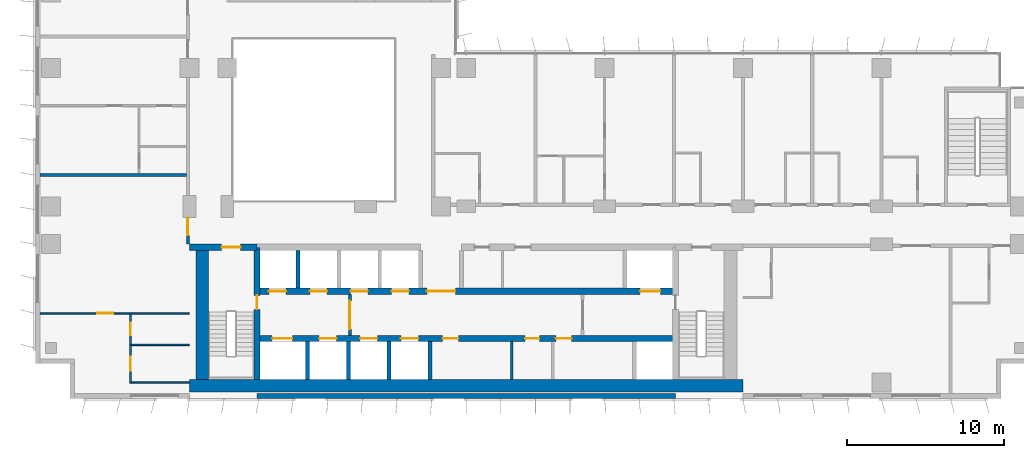
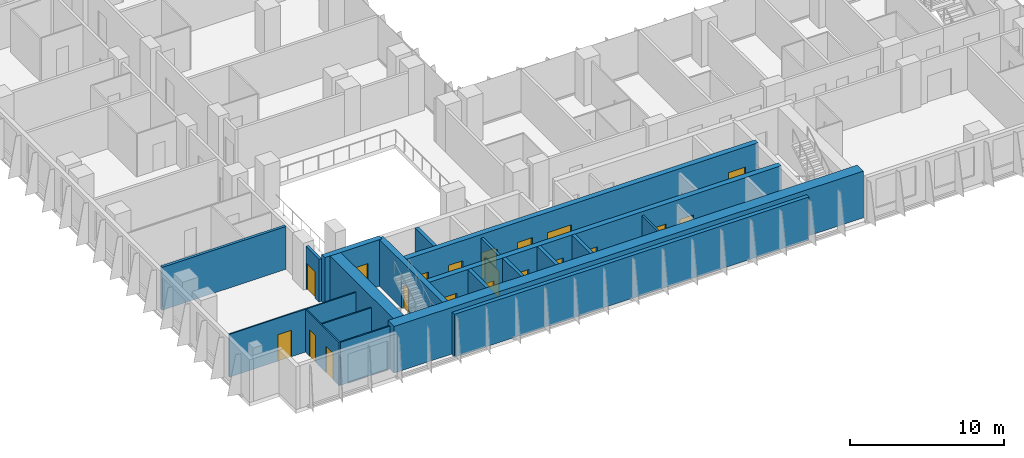
# One storey, part 12 of 22: 20 doors, 20 walls, 20 openings.
"""IFC4 building model written with IfcOpenShell, lengths in metres."""

from ifc_helpers import new_model, si_unit, direction, frame, frame_2d, origin, place, context, subcontext, project, spatial, rectangle, extrude, material, layer, layer_set, type_object, element, fill, save


model = new_model("IFC4")

# Units and contexts
model_context = context("Model", 3, precision=1e-05, world=origin(), true_north=direction((0.0, 1.0)))
body_context = subcontext(model_context, "Body", "Model", "MODEL_VIEW")
ifc_project = project(units=[si_unit("LENGTHUNIT", "METRE"), si_unit("AREAUNIT", "SQUARE_METRE"), si_unit("VOLUMEUNIT", "CUBIC_METRE"), si_unit("PLANEANGLEUNIT", "RADIAN"), si_unit("MASSUNIT", "GRAM", prefix="KILO")], contexts=[model_context])

# Site, building, storey
site_placement = place(None, origin())
site = spatial("IfcSite", under=ifc_project, at=site_placement, CompositionType="ELEMENT")
building_placement = place(site_placement, origin())
building = spatial("IfcBuilding", under=site, at=building_placement, Name="Kemantara Hotel Tower", CompositionType="ELEMENT")
storey_placement = place(building_placement, frame((0.0, 0.0, 145.699951171875)))
storey = spatial("IfcBuildingStorey", under=building, at=storey_placement, Name="L35", CompositionType="ELEMENT", Elevation=145.699951171875)

# Walls
ifc_material_1 = material(Name="Bronze anodised aluminium cladding on insulated steel stud wall", Category="steel")
ifc_layer_1 = layer(ifc_material_1, 0.300048828125)
ifc_layer_set_1 = layer_set([ifc_layer_1], Name="Bronze anodised aluminium cladding on insulated steel stud wall")
wall_type_1 = type_object("IfcWallType", Name="BRONZE METAL-CLAD EXTERNAL WALL 300", PredefinedType="STANDARD", material=ifc_layer_set_1)
wall_1_placement = place(storey_placement, frame((14.10009765625, 0.14990234375, 0.0), z_axis=(0.0, 0.0, 1.0), x_axis=(1.0, 0.0, 0.0)))
element("IfcWall", 1, at=wall_1_placement, inside=storey, type_object=wall_type_1, Name="EXTERNAL WALL L35 T2-R07-2", PredefinedType="STANDARD", context=body_context, shape_type="SweptSolid", body=[
    extrude(rectangle(XDim=26.599853515625, YDim=0.300048828125, at=frame_2d((13.2998046875, 0.0))), origin(), (0.0, 0.0, 1.0), 3.400146484375),
])
ifc_material_2 = material(Name="Concrete fc 60 MPa", Category="concrete")
ifc_layer_2 = layer(ifc_material_2, 0.25)
ifc_layer_set_2 = layer_set([ifc_layer_2], Name="Concrete fc 60 MPa")
wall_type_2 = type_object("IfcWallType", Name="CORE WALL 250 FC60", PredefinedType="SHEAR", material=ifc_layer_set_2)
for number, where, z_axis, x_axis, name in (
    (2, (17.300048828125, 1.199951171875, 0.0), (0.0, 0.0, 1.0), (0.0, 1.0, 0.0), "CORE WALL CW-DS17.3"),
    (3, (19.89990234375, 1.199951171875, 0.0), (0.0, 0.0, 1.0), (0.0, 1.0, 0.0), "CORE WALL CW-DS19.9"),
    (4, (22.5, 1.199951171875, 0.0), (0.0, 0.0, 1.0), (0.0, 1.0, 0.0), "CORE WALL CW-DS22.5"),
    (5, (25.10009765625, 1.199951171875, 0.0), (0.0, 0.0, 1.0), (0.0, 1.0, 0.0), "CORE WALL CW-DS25.1"),
):
    element("IfcWall", number, at=place(storey_placement, frame(where, z_axis=z_axis, x_axis=x_axis)), inside=storey, type_object=wall_type_2, Name=name, PredefinedType="SHEAR", context=body_context, shape_type="SweptSolid", body=[
        extrude(rectangle(XDim=2.400146484375, YDim=0.25, at=frame_2d((1.2001953125, 0.0))), origin(), (0.0, 0.0, 1.0), 3.699951171875),
    ])
wall_2_placement = place(storey_placement, frame((16.699951171875, 7.0, 0.0), z_axis=(0.0, 0.0, 1.0), x_axis=(0.0, 1.0, 0.0)))
element("IfcWall", 6, at=wall_2_placement, inside=storey, type_object=wall_type_2, Name="CORE WALL CW-DN16.7", PredefinedType="SHEAR", context=body_context, shape_type="SweptSolid", body=[
    extrude(rectangle(XDim=2.39990234375, YDim=0.25, at=frame_2d((1.199951171875, 0.0))), origin(), (0.0, 0.0, 1.0), 3.699951171875),
])

# Wall, opening, door
ifc_layer_3 = layer(ifc_material_2, 0.39990234375)
ifc_layer_set_3 = layer_set([ifc_layer_3], Name="Concrete fc 60 MPa")
wall_type_3 = type_object("IfcWallType", Name="CORE WALL 400 FC60", PredefinedType="SHEAR", material=ifc_layer_set_3)
wall_3_placement = place(storey_placement, frame((9.800048828125, 9.60009765625, 0.0), z_axis=(0.0, 0.0, 1.0), x_axis=(1.0, 0.0, 0.0)))
wall_3 = element("IfcWall", 7, at=wall_3_placement, inside=storey, type_object=wall_type_3, Name="CORE WALL CW-N1", PredefinedType="SHEAR", context=body_context, shape_type="SweptSolid", body=[
    extrude(rectangle(XDim=4.300048828125, YDim=0.39990234375, at=frame_2d((2.14990234375, 0.0))), origin(), (0.0, 0.0, 1.0), 3.699951171875),
])
opening_1_placement = place(wall_3_placement, frame((2.050048828125, 0.0, 0.0)))
opening_1 = element("IfcOpeningElement", 8, at=opening_1_placement, cuts=wall_3, Name="Opening C22-ST1-C", PredefinedType="OPENING", context=body_context, shape_type="SweptSolid", body=[
    extrude(rectangle(XDim=1.199951171875, YDim=2.10009765625, at=frame_2d((0.60009765625, 1.050048828125))), frame((0.0, 0.2099609375, 0.0), z_axis=(0.0, -1.0, 0.0), x_axis=(1.0, 0.0, 0.0)), (0.0, 0.0, 1.0), 0.419921875),
])
ifc_material_3 = material(Name="Steel fire door", Category="steel")
door_type_1 = type_object("IfcDoorType", Name="Fire door FD90 1200 x 2100", OperationType="NOTDEFINED", PredefinedType="DOOR", material=ifc_material_3)
door_1_placement = place(opening_1_placement, frame((1.199951171875, 0.0, 0.0), z_axis=(0.0, 0.0, 1.0), x_axis=(-1.0, 0.0, 0.0)))
door_1 = element("IfcDoor", 9, at=door_1_placement, inside=storey, type_object=door_type_1, Name="Stair ST1 door to corridor", OperationType="SINGLE_SWING_LEFT", OverallHeight=2.10009765625, OverallWidth=1.199951171875, PredefinedType="DOOR", context=body_context, shape_type="SweptSolid", body=[
    extrude(rectangle(XDim=1.199951171875, YDim=2.10009765625, at=frame_2d((0.60009765625, 1.050048828125))), frame((0.0, 0.02490234375, 0.0), z_axis=(0.0, -1.0, 0.0), x_axis=(1.0, 0.0, 0.0)), (0.0, 0.0, 1.0), 0.050048828125),
])
fill(opening_1, door_1)

# Wall, openings, doors
wall_4_placement = place(storey_placement, frame((14.10009765625, 3.800048828125, 0.0), z_axis=(0.0, 0.0, 1.0), x_axis=(1.0, 0.0, 0.0)))
wall_4 = element("IfcWall", 10, at=wall_4_placement, inside=storey, type_object=wall_type_3, Name="CORE WALL CW-L1", PredefinedType="SHEAR", context=body_context, shape_type="SweptSolid", body=[
    extrude(rectangle(XDim=26.599853515625, YDim=0.39990234375, at=frame_2d((13.2998046875, 0.0))), origin(), (0.0, 0.0, 1.0), 3.699951171875),
])
opening_2_placement = place(wall_4_placement, frame((0.949951171875, 0.0, 0.0)))
opening_2 = element("IfcOpeningElement", 11, at=opening_2_placement, cuts=wall_4, Name="Opening C22-LD-FF1", PredefinedType="OPENING", context=body_context, shape_type="SweptSolid", body=[
    extrude(rectangle(XDim=1.300048828125, YDim=2.10009765625, at=frame_2d((0.64990234375, 1.050048828125))), frame((0.0, 0.2099609375, 0.0), z_axis=(0.0, -1.0, 0.0), x_axis=(1.0, 0.0, 0.0)), (0.0, 0.0, 1.0), 0.419921875),
])
opening_3_placement = place(wall_4_placement, frame((3.949951171875, 0.0, 0.0)))
opening_3 = element("IfcOpeningElement", 12, at=opening_3_placement, cuts=wall_4, Name="Opening C22-LD-SV1", PredefinedType="OPENING", context=body_context, shape_type="SweptSolid", body=[
    extrude(rectangle(XDim=1.10009765625, YDim=2.10009765625, at=frame_2d((0.550048828125, 1.050048828125))), frame((0.0, 0.2099609375, 0.0), z_axis=(0.0, -1.0, 0.0), x_axis=(1.0, 0.0, 0.0)), (0.0, 0.0, 1.0), 0.419921875),
])
opening_4_placement = place(wall_4_placement, frame((6.550048828125, 0.0, 0.0)))
opening_4 = element("IfcOpeningElement", 13, at=opening_4_placement, cuts=wall_4, Name="Opening C22-LD-SV2", PredefinedType="OPENING", context=body_context, shape_type="SweptSolid", body=[
    extrude(rectangle(XDim=1.10009765625, YDim=2.10009765625, at=frame_2d((0.550048828125, 1.050048828125))), frame((0.0, 0.2099609375, 0.0), z_axis=(0.0, -1.0, 0.0), x_axis=(1.0, 0.0, 0.0)), (0.0, 0.0, 1.0), 0.419921875),
])
opening_5_placement = place(wall_4_placement, frame((9.14990234375, 0.0, 0.0)))
opening_5 = element("IfcOpeningElement", 14, at=opening_5_placement, cuts=wall_4, Name="Opening C22-LD-SV3", PredefinedType="OPENING", context=body_context, shape_type="SweptSolid", body=[
    extrude(rectangle(XDim=1.10009765625, YDim=2.10009765625, at=frame_2d((0.550048828125, 1.050048828125))), frame((0.0, 0.2099609375, 0.0), z_axis=(0.0, -1.0, 0.0), x_axis=(1.0, 0.0, 0.0)), (0.0, 0.0, 1.0), 0.419921875),
])
opening_6_placement = place(wall_4_placement, frame((11.800048828125, 0.0, 0.0)))
opening_6 = element("IfcOpeningElement", 15, at=opening_6_placement, cuts=wall_4, Name="Opening C22-R-SM1", PredefinedType="OPENING", context=body_context, shape_type="SweptSolid", body=[
    extrude(rectangle(XDim=1.0, YDim=2.10009765625, at=frame_2d((0.5, 1.050048828125))), frame((0.0, 0.2099609375, 0.0), z_axis=(0.0, -1.0, 0.0), x_axis=(1.0, 0.0, 0.0)), (0.0, 0.0, 1.0), 0.419921875),
])
opening_7_placement = place(wall_4_placement, frame((17.050048828125, 0.0, 0.0)))
opening_7 = element("IfcOpeningElement", 16, at=opening_7_placement, cuts=wall_4, Name="Opening C22-R-SM2", PredefinedType="OPENING", context=body_context, shape_type="SweptSolid", body=[
    extrude(rectangle(XDim=0.89990234375, YDim=2.10009765625, at=frame_2d((0.449951171875, 1.050048828125))), frame((0.0, 0.2099609375, 0.0), z_axis=(0.0, -1.0, 0.0), x_axis=(1.0, 0.0, 0.0)), (0.0, 0.0, 1.0), 0.419921875),
])
opening_8_placement = place(wall_4_placement, frame((19.0, 0.0, 0.0)))
opening_8 = element("IfcOpeningElement", 17, at=opening_8_placement, cuts=wall_4, Name="Opening C22-R-SM3", PredefinedType="OPENING", context=body_context, shape_type="SweptSolid", body=[
    extrude(rectangle(XDim=1.0, YDim=2.10009765625, at=frame_2d((0.5, 1.050048828125))), frame((0.0, 0.2099609375, 0.0), z_axis=(0.0, -1.0, 0.0), x_axis=(1.0, 0.0, 0.0)), (0.0, 0.0, 1.0), 0.419921875),
])
door_type_2 = type_object("IfcDoorType", Name="Fire door FD30S 1000 x 2100", OperationType="NOTDEFINED", PredefinedType="DOOR", material=ifc_material_3)
door_2_placement = place(opening_6_placement, frame((1.0, 0.0, 0.0), z_axis=(0.0, 0.0, 1.0), x_axis=(-1.0, 0.0, 0.0)))
door_2 = element("IfcDoor", 18, at=door_2_placement, inside=storey, type_object=door_type_2, Name="Luggage Store door", OperationType="SINGLE_SWING_RIGHT", OverallHeight=2.10009765625, OverallWidth=1.0, PredefinedType="DOOR", context=body_context, shape_type="SweptSolid", body=[
    extrude(rectangle(XDim=1.0, YDim=2.10009765625, at=frame_2d((0.5, 1.050048828125))), frame((0.0, 0.02490234375, 0.0), z_axis=(0.0, -1.0, 0.0), x_axis=(1.0, 0.0, 0.0)), (0.0, 0.0, 1.0), 0.050048828125),
])
fill(opening_6, door_2)
door_3_placement = place(opening_8_placement, frame((1.0, 0.0, 0.0), z_axis=(0.0, 0.0, 1.0), x_axis=(-1.0, 0.0, 0.0)))
door_3 = element("IfcDoor", 19, at=door_3_placement, inside=storey, type_object=door_type_2, Name="Staff Lounge door", OperationType="SINGLE_SWING_LEFT", OverallHeight=2.10009765625, OverallWidth=1.0, PredefinedType="DOOR", context=body_context, shape_type="SweptSolid", body=[
    extrude(rectangle(XDim=1.0, YDim=2.10009765625, at=frame_2d((0.5, 1.050048828125))), frame((0.0, 0.02490234375, 0.0), z_axis=(0.0, -1.0, 0.0), x_axis=(1.0, 0.0, 0.0)), (0.0, 0.0, 1.0), 0.050048828125),
])
fill(opening_8, door_3)
door_type_3 = type_object("IfcDoorType", Name="Fire door FD60 900 x 2100", OperationType="NOTDEFINED", PredefinedType="DOOR", material=ifc_material_3)
door_4_placement = place(opening_7_placement, frame((0.89990234375, 0.0, 0.0), z_axis=(0.0, 0.0, 1.0), x_axis=(-1.0, 0.0, 0.0)))
door_4 = element("IfcDoor", 20, at=door_4_placement, inside=storey, type_object=door_type_3, Name="Electrical Riser Room door", OperationType="SINGLE_SWING_LEFT", OverallHeight=2.10009765625, OverallWidth=0.89990234375, PredefinedType="DOOR", context=body_context, shape_type="SweptSolid", body=[
    extrude(rectangle(XDim=0.89990234375, YDim=2.10009765625, at=frame_2d((0.449951171875, 1.050048828125))), frame((0.0, 0.02490234375, 0.0), z_axis=(0.0, -1.0, 0.0), x_axis=(1.0, 0.0, 0.0)), (0.0, 0.0, 1.0), 0.050048828125),
])
fill(opening_7, door_4)
ifc_material_4 = material(Name="Stainless steel lift door", Category="steel")
door_type_4 = type_object("IfcDoorType", Name="Lift landing door 1100 x 2100 FD60", OperationType="DOUBLE_DOOR_SLIDING", PredefinedType="DOOR", material=ifc_material_4)
door_5_placement = place(opening_3_placement, origin())
door_5 = element("IfcDoor", 21, at=door_5_placement, inside=storey, type_object=door_type_4, Name="Lift SV1 landing door", OperationType="DOUBLE_DOOR_SLIDING", OverallHeight=2.10009765625, OverallWidth=1.10009765625, PredefinedType="DOOR", context=body_context, shape_type="SweptSolid", body=[
    extrude(rectangle(XDim=1.10009765625, YDim=2.10009765625, at=frame_2d((0.550048828125, 1.050048828125))), frame((0.0, 0.02490234375, 0.0), z_axis=(0.0, -1.0, 0.0), x_axis=(1.0, 0.0, 0.0)), (0.0, 0.0, 1.0), 0.050048828125),
])
fill(opening_3, door_5)
door_6_placement = place(opening_4_placement, origin())
door_6 = element("IfcDoor", 22, at=door_6_placement, inside=storey, type_object=door_type_4, Name="Lift SV2 landing door", OperationType="DOUBLE_DOOR_SLIDING", OverallHeight=2.10009765625, OverallWidth=1.10009765625, PredefinedType="DOOR", context=body_context, shape_type="SweptSolid", body=[
    extrude(rectangle(XDim=1.10009765625, YDim=2.10009765625, at=frame_2d((0.550048828125, 1.050048828125))), frame((0.0, 0.02490234375, 0.0), z_axis=(0.0, -1.0, 0.0), x_axis=(1.0, 0.0, 0.0)), (0.0, 0.0, 1.0), 0.050048828125),
])
fill(opening_4, door_6)
door_7_placement = place(opening_5_placement, origin())
door_7 = element("IfcDoor", 23, at=door_7_placement, inside=storey, type_object=door_type_4, Name="Lift SV3 landing door", OperationType="DOUBLE_DOOR_SLIDING", OverallHeight=2.10009765625, OverallWidth=1.10009765625, PredefinedType="DOOR", context=body_context, shape_type="SweptSolid", body=[
    extrude(rectangle(XDim=1.10009765625, YDim=2.10009765625, at=frame_2d((0.550048828125, 1.050048828125))), frame((0.0, 0.02490234375, 0.0), z_axis=(0.0, -1.0, 0.0), x_axis=(1.0, 0.0, 0.0)), (0.0, 0.0, 1.0), 0.050048828125),
])
fill(opening_5, door_7)
door_type_5 = type_object("IfcDoorType", Name="Lift landing door 1300 x 2100 FD90", OperationType="DOUBLE_DOOR_SLIDING", PredefinedType="DOOR", material=ifc_material_4)
door_8_placement = place(opening_2_placement, origin())
door_8 = element("IfcDoor", 24, at=door_8_placement, inside=storey, type_object=door_type_5, Name="Lift FF1 landing door", OperationType="DOUBLE_DOOR_SLIDING", OverallHeight=2.10009765625, OverallWidth=1.300048828125, PredefinedType="DOOR", context=body_context, shape_type="SweptSolid", body=[
    extrude(rectangle(XDim=1.300048828125, YDim=2.10009765625, at=frame_2d((0.64990234375, 1.050048828125))), frame((0.0, 0.02490234375, 0.0), z_axis=(0.0, -1.0, 0.0), x_axis=(1.0, 0.0, 0.0)), (0.0, 0.0, 1.0), 0.050048828125),
])
fill(opening_2, door_8)

wall_5_placement = place(storey_placement, frame((14.10009765625, 6.800048828125, 0.0), z_axis=(0.0, 0.0, 1.0), x_axis=(1.0, 0.0, 0.0)))
wall_5 = element("IfcWall", 25, at=wall_5_placement, inside=storey, type_object=wall_type_3, Name="CORE WALL CW-L2", PredefinedType="SHEAR", context=body_context, shape_type="SweptSolid", body=[
    extrude(rectangle(XDim=26.599853515625, YDim=0.39990234375, at=frame_2d((13.2998046875, 0.0))), origin(), (0.0, 0.0, 1.0), 3.699951171875),
])
opening_9_placement = place(wall_5_placement, frame((10.800048828125, 0.0, 0.0)))
opening_9 = element("IfcOpeningElement", 26, at=opening_9_placement, cuts=wall_5, Name="Opening C22-VL", PredefinedType="OPENING", context=body_context, shape_type="SweptSolid", body=[
    extrude(rectangle(XDim=1.800048828125, YDim=2.10009765625, at=frame_2d((0.89990234375, 1.050048828125))), frame((0.0, 0.2099609375, 0.0), z_axis=(0.0, -1.0, 0.0), x_axis=(1.0, 0.0, 0.0)), (0.0, 0.0, 1.0), 0.419921875),
])
opening_10_placement = place(wall_5_placement, frame((0.75, 0.0, 0.0)))
opening_10 = element("IfcOpeningElement", 27, at=opening_10_placement, cuts=wall_5, Name="Opening C22-LD-MR1", PredefinedType="OPENING", context=body_context, shape_type="SweptSolid", body=[
    extrude(rectangle(XDim=1.10009765625, YDim=2.10009765625, at=frame_2d((0.550048828125, 1.050048828125))), frame((0.0, 0.2099609375, 0.0), z_axis=(0.0, -1.0, 0.0), x_axis=(1.0, 0.0, 0.0)), (0.0, 0.0, 1.0), 0.419921875),
])
opening_11_placement = place(wall_5_placement, frame((3.35009765625, 0.0, 0.0)))
opening_11 = element("IfcOpeningElement", 28, at=opening_11_placement, cuts=wall_5, Name="Opening C22-LD-MR2", PredefinedType="OPENING", context=body_context, shape_type="SweptSolid", body=[
    extrude(rectangle(XDim=1.10009765625, YDim=2.10009765625, at=frame_2d((0.550048828125, 1.050048828125))), frame((0.0, 0.2099609375, 0.0), z_axis=(0.0, -1.0, 0.0), x_axis=(1.0, 0.0, 0.0)), (0.0, 0.0, 1.0), 0.419921875),
])
opening_12_placement = place(wall_5_placement, frame((5.949951171875, 0.0, 0.0)))
opening_12 = element("IfcOpeningElement", 29, at=opening_12_placement, cuts=wall_5, Name="Opening C22-LD-MR3", PredefinedType="OPENING", context=body_context, shape_type="SweptSolid", body=[
    extrude(rectangle(XDim=1.10009765625, YDim=2.10009765625, at=frame_2d((0.550048828125, 1.050048828125))), frame((0.0, 0.2099609375, 0.0), z_axis=(0.0, -1.0, 0.0), x_axis=(1.0, 0.0, 0.0)), (0.0, 0.0, 1.0), 0.419921875),
])
opening_13_placement = place(wall_5_placement, frame((8.550048828125, 0.0, 0.0)))
opening_13 = element("IfcOpeningElement", 30, at=opening_13_placement, cuts=wall_5, Name="Opening C22-LD-MR4", PredefinedType="OPENING", context=body_context, shape_type="SweptSolid", body=[
    extrude(rectangle(XDim=1.10009765625, YDim=2.10009765625, at=frame_2d((0.550048828125, 1.050048828125))), frame((0.0, 0.2099609375, 0.0), z_axis=(0.0, -1.0, 0.0), x_axis=(1.0, 0.0, 0.0)), (0.0, 0.0, 1.0), 0.419921875),
])
opening_14_placement = place(wall_5_placement, frame((24.35009765625, 0.0, 0.0)))
opening_14 = element("IfcOpeningElement", 31, at=opening_14_placement, cuts=wall_5, Name="Opening C22-LD-FF2", PredefinedType="OPENING", context=body_context, shape_type="SweptSolid", body=[
    extrude(rectangle(XDim=1.300048828125, YDim=2.10009765625, at=frame_2d((0.64990234375, 1.050048828125))), frame((0.0, 0.2099609375, 0.0), z_axis=(0.0, -1.0, 0.0), x_axis=(1.0, 0.0, 0.0)), (0.0, 0.0, 1.0), 0.419921875),
])
door_type_6 = type_object("IfcDoorType", Name="Fire door pair FD60 1800 x 2100", OperationType="DOUBLE_DOOR_SINGLE_SWING", PredefinedType="DOOR", material=ifc_material_3)
door_9_placement = place(opening_9_placement, frame((1.800048828125, 0.0, 0.0), z_axis=(0.0, 0.0, 1.0), x_axis=(-1.0, 0.0, 0.0)))
door_9 = element("IfcDoor", 32, at=door_9_placement, inside=storey, type_object=door_type_6, Name="Lift lobby entry door", OperationType="DOUBLE_DOOR_SINGLE_SWING", OverallHeight=2.10009765625, OverallWidth=1.800048828125, PredefinedType="DOOR", context=body_context, shape_type="SweptSolid", body=[
    extrude(rectangle(XDim=1.800048828125, YDim=2.10009765625, at=frame_2d((0.89990234375, 1.050048828125))), frame((0.0, 0.02490234375, 0.0), z_axis=(0.0, -1.0, 0.0), x_axis=(1.0, 0.0, 0.0)), (0.0, 0.0, 1.0), 0.050048828125),
])
fill(opening_9, door_9)
door_10_placement = place(opening_10_placement, origin())
door_10 = element("IfcDoor", 33, at=door_10_placement, inside=storey, type_object=door_type_4, Name="Lift MR1 landing door", OperationType="DOUBLE_DOOR_SLIDING", OverallHeight=2.10009765625, OverallWidth=1.10009765625, PredefinedType="DOOR", context=body_context, shape_type="SweptSolid", body=[
    extrude(rectangle(XDim=1.10009765625, YDim=2.10009765625, at=frame_2d((0.550048828125, 1.050048828125))), frame((0.0, 0.02490234375, 0.0), z_axis=(0.0, -1.0, 0.0), x_axis=(1.0, 0.0, 0.0)), (0.0, 0.0, 1.0), 0.050048828125),
])
fill(opening_10, door_10)
door_11_placement = place(opening_11_placement, origin())
door_11 = element("IfcDoor", 34, at=door_11_placement, inside=storey, type_object=door_type_4, Name="Lift MR2 landing door", OperationType="DOUBLE_DOOR_SLIDING", OverallHeight=2.10009765625, OverallWidth=1.10009765625, PredefinedType="DOOR", context=body_context, shape_type="SweptSolid", body=[
    extrude(rectangle(XDim=1.10009765625, YDim=2.10009765625, at=frame_2d((0.550048828125, 1.050048828125))), frame((0.0, 0.02490234375, 0.0), z_axis=(0.0, -1.0, 0.0), x_axis=(1.0, 0.0, 0.0)), (0.0, 0.0, 1.0), 0.050048828125),
])
fill(opening_11, door_11)
door_12_placement = place(opening_12_placement, origin())
door_12 = element("IfcDoor", 35, at=door_12_placement, inside=storey, type_object=door_type_4, Name="Lift MR3 landing door", OperationType="DOUBLE_DOOR_SLIDING", OverallHeight=2.10009765625, OverallWidth=1.10009765625, PredefinedType="DOOR", context=body_context, shape_type="SweptSolid", body=[
    extrude(rectangle(XDim=1.10009765625, YDim=2.10009765625, at=frame_2d((0.550048828125, 1.050048828125))), frame((0.0, 0.02490234375, 0.0), z_axis=(0.0, -1.0, 0.0), x_axis=(1.0, 0.0, 0.0)), (0.0, 0.0, 1.0), 0.050048828125),
])
fill(opening_12, door_12)
door_13_placement = place(opening_13_placement, origin())
door_13 = element("IfcDoor", 36, at=door_13_placement, inside=storey, type_object=door_type_4, Name="Lift MR4 landing door", OperationType="DOUBLE_DOOR_SLIDING", OverallHeight=2.10009765625, OverallWidth=1.10009765625, PredefinedType="DOOR", context=body_context, shape_type="SweptSolid", body=[
    extrude(rectangle(XDim=1.10009765625, YDim=2.10009765625, at=frame_2d((0.550048828125, 1.050048828125))), frame((0.0, 0.02490234375, 0.0), z_axis=(0.0, -1.0, 0.0), x_axis=(1.0, 0.0, 0.0)), (0.0, 0.0, 1.0), 0.050048828125),
])
fill(opening_13, door_13)
door_14_placement = place(opening_14_placement, origin())
door_14 = element("IfcDoor", 37, at=door_14_placement, inside=storey, type_object=door_type_5, Name="Lift FF2 landing door", OperationType="DOUBLE_DOOR_SLIDING", OverallHeight=2.10009765625, OverallWidth=1.300048828125, PredefinedType="DOOR", context=body_context, shape_type="SweptSolid", body=[
    extrude(rectangle(XDim=1.300048828125, YDim=2.10009765625, at=frame_2d((0.64990234375, 1.050048828125))), frame((0.0, 0.02490234375, 0.0), z_axis=(0.0, -1.0, 0.0), x_axis=(1.0, 0.0, 0.0)), (0.0, 0.0, 1.0), 0.050048828125),
])
fill(opening_14, door_14)

# Wall, opening, door
wall_6_placement = place(storey_placement, frame((14.10009765625, 1.199951171875, 0.0), z_axis=(0.0, 0.0, 1.0), x_axis=(0.0, 1.0, 0.0)))
wall_6 = element("IfcWall", 38, at=wall_6_placement, inside=storey, type_object=wall_type_3, Name="CORE WALL CW-ST1E", PredefinedType="SHEAR", context=body_context, shape_type="SweptSolid", body=[
    extrude(rectangle(XDim=8.400146484375, YDim=0.39990234375, at=frame_2d((4.2001953125, 0.0))), origin(), (0.0, 0.0, 1.0), 3.699951171875),
])
opening_15_placement = place(wall_6_placement, frame((4.449951171875, 0.0, 0.0)))
opening_15 = element("IfcOpeningElement", 39, at=opening_15_placement, cuts=wall_6, Name="Opening C22-ST1-F", PredefinedType="OPENING", context=body_context, shape_type="SweptSolid", body=[
    extrude(rectangle(XDim=0.89990234375, YDim=2.10009765625, at=frame_2d((0.449951171875, 1.050048828125))), frame((0.0, 0.2099609375, 0.0), z_axis=(0.0, -1.0, 0.0), x_axis=(1.0, 0.0, 0.0)), (0.0, 0.0, 1.0), 0.419921875),
])
door_type_7 = type_object("IfcDoorType", Name="Fire door FD90 900 x 2100", OperationType="NOTDEFINED", PredefinedType="DOOR", material=ifc_material_3)
door_15_placement = place(opening_15_placement, origin())
door_15 = element("IfcDoor", 40, at=door_15_placement, inside=storey, type_object=door_type_7, Name="Stair ST1 door to firefighting lobby", OperationType="SINGLE_SWING_RIGHT", OverallHeight=2.10009765625, OverallWidth=0.89990234375, PredefinedType="DOOR", context=body_context, shape_type="SweptSolid", body=[
    extrude(rectangle(XDim=0.89990234375, YDim=2.10009765625, at=frame_2d((0.449951171875, 1.050048828125))), frame((0.0, 0.02490234375, 0.0), z_axis=(0.0, -1.0, 0.0), x_axis=(1.0, 0.0, 0.0)), (0.0, 0.0, 1.0), 0.050048828125),
])
fill(opening_15, door_15)

# Walls
ifc_layer_4 = layer(ifc_material_2, 0.800048828125)
ifc_layer_set_4 = layer_set([ifc_layer_4], Name="Concrete fc 60 MPa")
wall_type_4 = type_object("IfcWallType", Name="CORE WALL 800 FC60", PredefinedType="SHEAR", material=ifc_layer_set_4)
wall_7_placement = place(storey_placement, frame((9.800048828125, 0.800048828125, 0.0), z_axis=(0.0, 0.0, 1.0), x_axis=(1.0, 0.0, 0.0)))
element("IfcWall", 41, at=wall_7_placement, inside=storey, type_object=wall_type_4, Name="CORE WALL CW-S", PredefinedType="SHEAR", context=body_context, shape_type="SweptSolid", body=[
    extrude(rectangle(XDim=35.199951171875, YDim=0.800048828125, at=frame_2d((17.60009765625, 0.0))), origin(), (0.0, 0.0, 1.0), 3.699951171875),
])
wall_8_placement = place(storey_placement, frame((10.60009765625, 1.199951171875, 0.0), z_axis=(0.0, 0.0, 1.0), x_axis=(0.0, 1.0, 0.0)))
element("IfcWall", 42, at=wall_8_placement, inside=storey, type_object=wall_type_4, Name="CORE WALL CW-W", PredefinedType="SHEAR", context=body_context, shape_type="SweptSolid", body=[
    extrude(rectangle(XDim=8.60009765625, YDim=0.800048828125, at=frame_2d((4.300048828125, 0.0))), origin(), (0.0, 0.0, 1.0), 3.699951171875),
])

# Wall, opening, door
ifc_material_5 = material(Name="Gypsum board partition, steel studs and mineral wool, 200 mm", Category="steel")
ifc_layer_5 = layer(ifc_material_5, 0.199951171875)
ifc_layer_set_5 = layer_set([ifc_layer_5], Name="Gypsum board partition, steel studs and mineral wool, 200 mm")
wall_type_5 = type_object("IfcWallType", Name="CORRIDOR WALL 200", PredefinedType="PARTITIONING", material=ifc_layer_set_5)
wall_9_placement = place(storey_placement, frame((9.699951171875, 9.800048828125, 0.0), z_axis=(0.0, 0.0, 1.0), x_axis=(0.0, 1.0, 0.0)))
wall_9 = element("IfcWall", 43, at=wall_9_placement, inside=storey, type_object=wall_type_5, Name="CORRIDOR WALL 200 016", PredefinedType="PARTITIONING", context=body_context, shape_type="SweptSolid", body=[
    extrude(rectangle(XDim=1.699951171875, YDim=0.199951171875, at=frame_2d((0.85009765625, 0.0))), origin(), (0.0, 0.0, 1.0), 3.400146484375),
])
opening_16_placement = place(wall_9_placement, frame((0.550048828125, 0.0, 0.0)))
opening_16 = element("IfcOpeningElement", 44, at=opening_16_placement, cuts=wall_9, Name="Opening F16-019", PredefinedType="OPENING", context=body_context, shape_type="SweptSolid", body=[
    extrude(rectangle(XDim=1.10009765625, YDim=2.10009765625, at=frame_2d((0.550048828125, 1.050048828125))), frame((0.0, 0.10986328125, 0.0), z_axis=(0.0, -1.0, 0.0), x_axis=(1.0, 0.0, 0.0)), (0.0, 0.0, 1.0), 0.219970703125),
])
ifc_material_6 = material(Name="Hardwood veneer door leaf with steel frame", Category="steel")
door_type_8 = type_object("IfcDoorType", Name="SUITE ENTRANCE DOOR 1100 X 2100 FD30S", OperationType="NOTDEFINED", PredefinedType="DOOR", material=ifc_material_6)
door_16_placement = place(opening_16_placement, origin())
door_16 = element("IfcDoor", 45, at=door_16_placement, inside=storey, type_object=door_type_8, Name="SUITE ENTRANCE DOOR F16-019", OperationType="SINGLE_SWING_RIGHT", OverallHeight=2.10009765625, OverallWidth=1.10009765625, PredefinedType="DOOR", context=body_context, shape_type="SweptSolid", body=[
    extrude(rectangle(XDim=1.10009765625, YDim=2.10009765625, at=frame_2d((0.550048828125, 1.050048828125))), frame((0.0, 0.02490234375, 0.0), z_axis=(0.0, -1.0, 0.0), x_axis=(1.0, 0.0, 0.0)), (0.0, 0.0, 1.0), 0.050048828125),
])
fill(opening_16, door_16)

# Walls
ifc_layer_6 = layer(ifc_material_5, 0.199951171875)
ifc_layer_set_6 = layer_set([ifc_layer_6], Name="Gypsum board partition, steel studs and mineral wool, 200 mm")
wall_type_6 = type_object("IfcWallType", Name="GUEST ROOM PARTY WALL 200", PredefinedType="PARTITIONING", material=ifc_layer_set_6)
wall_10_placement = place(storey_placement, frame((0.31005859375, 14.199951171875, 0.0), z_axis=(0.0, 0.0, 1.0), x_axis=(1.0, 0.0, 0.0)))
element("IfcWall", 46, at=wall_10_placement, inside=storey, type_object=wall_type_6, Name="GUEST ROOM PARTY WALL 200 025", PredefinedType="PARTITIONING", context=body_context, shape_type="SweptSolid", body=[
    extrude(rectangle(XDim=9.2900390625, YDim=0.199951171875, at=frame_2d((4.64501953125, 0.0))), origin(), (0.0, 0.0, 1.0), 3.400146484375),
])
ifc_material_7 = material(Name="Gypsum board partition")
ifc_layer_7 = layer(ifc_material_7, 0.14990234375)
ifc_layer_set_7 = layer_set([ifc_layer_7], Name="Gypsum board partition")
wall_type_7 = type_object("IfcWallType", Name="Gypsum board partition 150 mm", PredefinedType="PARTITIONING", material=ifc_layer_set_7)
wall_11_placement = place(storey_placement, frame((30.300048828125, 1.199951171875, 0.0), z_axis=(0.0, 0.0, 1.0), x_axis=(0.0, 1.0, 0.0)))
element("IfcWall", 47, at=wall_11_placement, inside=storey, type_object=wall_type_7, Name="Core room partition", PredefinedType="PARTITIONING", context=body_context, shape_type="SweptSolid", body=[
    extrude(rectangle(XDim=2.400146484375, YDim=0.14990234375, at=frame_2d((1.2001953125, 0.0))), origin(), (0.0, 0.0, 1.0), 3.400146484375),
])

# Wall, opening, door
ifc_material_8 = material(Name="Gypsum board shaft wall")
ifc_layer_8 = layer(ifc_material_8, 0.199951171875)
ifc_layer_set_8 = layer_set([ifc_layer_8], Name="Gypsum board shaft wall")
wall_type_8 = type_object("IfcWallType", Name="Gypsum board shaft wall 200 mm", PredefinedType="PARTITIONING", material=ifc_layer_set_8)
wall_12_placement = place(storey_placement, frame((20.0, 4.0, 0.0), z_axis=(0.0, 0.0, 1.0), x_axis=(0.0, 1.0, 0.0)))
wall_12 = element("IfcWall", 48, at=wall_12_placement, inside=storey, type_object=wall_type_8, Name="Firefighting lobby partition west", PredefinedType="PARTITIONING", context=body_context, shape_type="SweptSolid", body=[
    extrude(rectangle(XDim=2.60009765625, YDim=0.199951171875, at=frame_2d((1.300048828125, 0.0))), origin(), (0.0, 0.0, 1.0), 3.400146484375),
])
opening_17_placement = place(wall_12_placement, frame((0.39990234375, 0.0, 0.0)))
opening_17 = element("IfcOpeningElement", 49, at=opening_17_placement, cuts=wall_12, Name="Opening C22-FFW", PredefinedType="OPENING", context=body_context, shape_type="SweptSolid", body=[
    extrude(rectangle(XDim=1.800048828125, YDim=2.10009765625, at=frame_2d((0.89990234375, 1.050048828125))), frame((0.0, 0.10986328125, 0.0), z_axis=(0.0, -1.0, 0.0), x_axis=(1.0, 0.0, 0.0)), (0.0, 0.0, 1.0), 0.219970703125),
])
door_17_placement = place(opening_17_placement, origin())
door_17 = element("IfcDoor", 50, at=door_17_placement, inside=storey, type_object=door_type_6, Name="Firefighting lobby door west", OperationType="DOUBLE_DOOR_SINGLE_SWING", OverallHeight=2.10009765625, OverallWidth=1.800048828125, PredefinedType="DOOR", context=body_context, shape_type="SweptSolid", body=[
    extrude(rectangle(XDim=1.800048828125, YDim=2.10009765625, at=frame_2d((0.89990234375, 1.050048828125))), frame((0.0, 0.02490234375, 0.0), z_axis=(0.0, -1.0, 0.0), x_axis=(1.0, 0.0, 0.0)), (0.0, 0.0, 1.0), 0.050048828125),
])
fill(opening_17, door_17)

# Wall, openings, doors
ifc_material_9 = material(Name="Gypsum board partition on steel studs, 100 mm", Category="steel")
ifc_layer_9 = layer(ifc_material_9, 0.10009765625)
ifc_layer_set_9 = layer_set([ifc_layer_9], Name="Gypsum board partition on steel studs, 100 mm")
wall_type_9 = type_object("IfcWallType", Name="ROOM PARTITION 100", PredefinedType="PARTITIONING", material=ifc_layer_set_9)
wall_13_placement = place(storey_placement, frame((6.050048828125, 5.35009765625, 0.0), z_axis=(0.0, 0.0, 1.0), x_axis=(0.0, -1.0, 0.0)))
wall_13 = element("IfcWall", 51, at=wall_13_placement, inside=storey, type_object=wall_type_9, Name="ROOM PARTITION 100 062", PredefinedType="PARTITIONING", context=body_context, shape_type="SweptSolid", body=[
    extrude(rectangle(XDim=4.400146484375, YDim=0.10009765625, at=frame_2d((2.2001953125, 0.0))), origin(), (0.0, 0.0, 1.0), 3.400146484375),
])
opening_18_placement = place(wall_13_placement, frame((2.699951171875, 0.0, 0.0)))
opening_18 = element("IfcOpeningElement", 52, at=opening_18_placement, cuts=wall_13, Name="Opening F16-021", PredefinedType="OPENING", context=body_context, shape_type="SweptSolid", body=[
    extrude(rectangle(XDim=0.89990234375, YDim=2.10009765625, at=frame_2d((0.449951171875, 1.050048828125))), frame((0.0, 0.06005859375, 0.0), z_axis=(0.0, -1.0, 0.0), x_axis=(1.0, 0.0, 0.0)), (0.0, 0.0, 1.0), 0.1201171875),
])
opening_19_placement = place(wall_13_placement, frame((0.550048828125, 0.0, 0.0)))
opening_19 = element("IfcOpeningElement", 53, at=opening_19_placement, cuts=wall_13, Name="Opening F16-022", PredefinedType="OPENING", context=body_context, shape_type="SweptSolid", body=[
    extrude(rectangle(XDim=0.800048828125, YDim=2.10009765625, at=frame_2d((0.39990234375, 1.050048828125))), frame((0.0, 0.06005859375, 0.0), z_axis=(0.0, -1.0, 0.0), x_axis=(1.0, 0.0, 0.0)), (0.0, 0.0, 1.0), 0.1201171875),
])
door_type_9 = type_object("IfcDoorType", Name="BATHROOM DOOR 900 X 2100", OperationType="NOTDEFINED", PredefinedType="DOOR", material=ifc_material_6)
door_18_placement = place(opening_18_placement, origin())
door_18 = element("IfcDoor", 54, at=door_18_placement, inside=storey, type_object=door_type_9, Name="BATHROOM DOOR F16-021", OperationType="SINGLE_SWING_LEFT", OverallHeight=2.10009765625, OverallWidth=0.89990234375, PredefinedType="DOOR", context=body_context, shape_type="SweptSolid", body=[
    extrude(rectangle(XDim=0.89990234375, YDim=2.10009765625, at=frame_2d((0.449951171875, 1.050048828125))), frame((0.0, 0.02490234375, 0.0), z_axis=(0.0, -1.0, 0.0), x_axis=(1.0, 0.0, 0.0)), (0.0, 0.0, 1.0), 0.050048828125),
])
fill(opening_18, door_18)
door_type_10 = type_object("IfcDoorType", Name="WARDROBE DOOR 800 X 2100", OperationType="NOTDEFINED", PredefinedType="DOOR", material=ifc_material_6)
door_19_placement = place(opening_19_placement, origin())
door_19 = element("IfcDoor", 55, at=door_19_placement, inside=storey, type_object=door_type_10, Name="WARDROBE DOOR F16-022", OperationType="SINGLE_SWING_LEFT", OverallHeight=2.10009765625, OverallWidth=0.800048828125, PredefinedType="DOOR", context=body_context, shape_type="SweptSolid", body=[
    extrude(rectangle(XDim=0.800048828125, YDim=2.10009765625, at=frame_2d((0.39990234375, 1.050048828125))), frame((0.0, 0.02490234375, 0.0), z_axis=(0.0, -1.0, 0.0), x_axis=(1.0, 0.0, 0.0)), (0.0, 0.0, 1.0), 0.050048828125),
])
fill(opening_19, door_19)

# Wall, opening, door
wall_14_placement = place(storey_placement, frame((9.7998046875, 5.39990234375, 0.0), z_axis=(0.0, 0.0, 1.0), x_axis=(-1.0, 0.0, 0.0)))
wall_14 = element("IfcWall", 56, at=wall_14_placement, inside=storey, type_object=wall_type_9, Name="ROOM PARTITION 100 064", PredefinedType="PARTITIONING", context=body_context, shape_type="SweptSolid", body=[
    extrude(rectangle(XDim=9.48974609375, YDim=0.10009765625, at=frame_2d((4.744873046875, 0.0))), origin(), (0.0, 0.0, 1.0), 3.400146484375),
])
opening_20_placement = place(wall_14_placement, frame((4.849853515625, 0.0, 0.0)))
opening_20 = element("IfcOpeningElement", 57, at=opening_20_placement, cuts=wall_14, Name="Opening F16-020", PredefinedType="OPENING", context=body_context, shape_type="SweptSolid", body=[
    extrude(rectangle(XDim=1.0, YDim=2.10009765625, at=frame_2d((0.5, 1.050048828125))), frame((0.0, 0.06005859375, 0.0), z_axis=(0.0, -1.0, 0.0), x_axis=(1.0, 0.0, 0.0)), (0.0, 0.0, 1.0), 0.1201171875),
])
door_type_11 = type_object("IfcDoorType", Name="INTERNAL DOOR 1000 X 2100", OperationType="NOTDEFINED", PredefinedType="DOOR", material=ifc_material_6)
door_20_placement = place(opening_20_placement, origin())
door_20 = element("IfcDoor", 58, at=door_20_placement, inside=storey, type_object=door_type_11, Name="INTERNAL DOOR F16-020", OperationType="SINGLE_SWING_LEFT", OverallHeight=2.10009765625, OverallWidth=1.0, PredefinedType="DOOR", context=body_context, shape_type="SweptSolid", body=[
    extrude(rectangle(XDim=1.0, YDim=2.10009765625, at=frame_2d((0.5, 1.050048828125))), frame((0.0, 0.02490234375, 0.0), z_axis=(0.0, -1.0, 0.0), x_axis=(1.0, 0.0, 0.0)), (0.0, 0.0, 1.0), 0.050048828125),
])
fill(opening_20, door_20)

# Walls
for number, where, z_axis, x_axis, name in (
    (59, (6.10009765625, 1.0, 0.0), (0.0, 0.0, 1.0), (1.0, 0.0, 0.0), "ROOM PARTITION 100 065"),
    (60, (6.10009765625, 3.39990234375, 0.0), (0.0, 0.0, 1.0), (1.0, 0.0, 0.0), "ROOM PARTITION 100 066"),
):
    element("IfcWall", number, at=place(storey_placement, frame(where, z_axis=z_axis, x_axis=x_axis)), inside=storey, type_object=wall_type_9, Name=name, PredefinedType="PARTITIONING", context=body_context, shape_type="SweptSolid", body=[
        extrude(rectangle(XDim=3.69970703125, YDim=0.10009765625, at=frame_2d((1.849853515625, 0.0))), origin(), (0.0, 0.0, 1.0), 3.400146484375),
    ])

save(model, "model.ifc")
